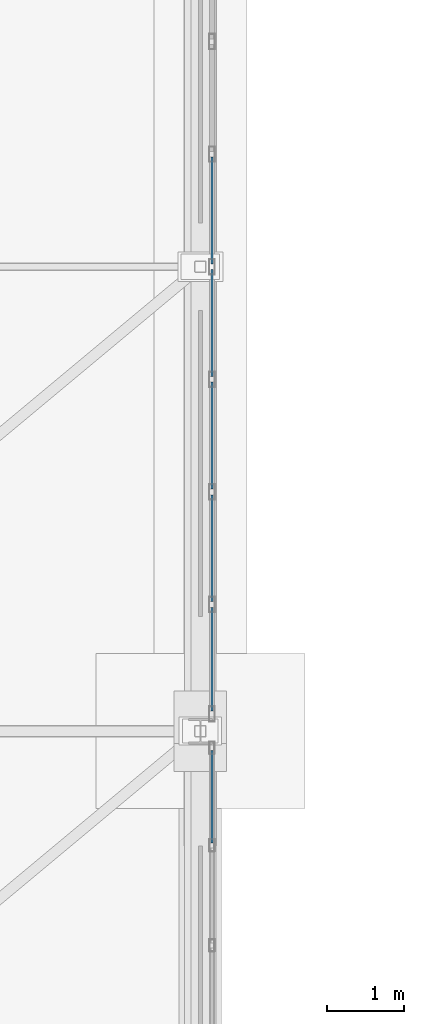
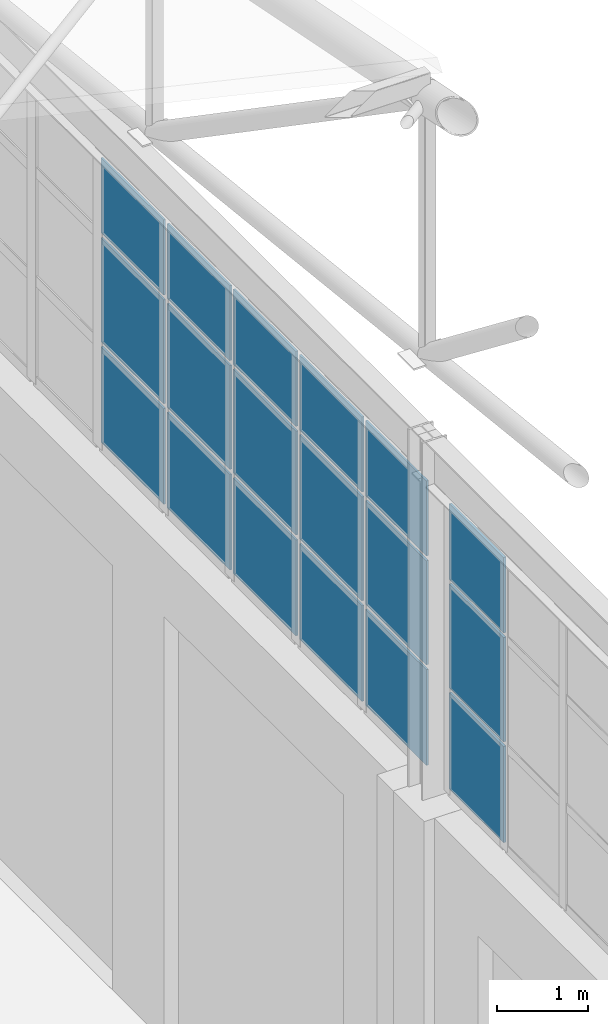
# One storey, part 248 of 293: 18 plates, 2 elements without a shape of their own.
"""IFC4 building model written with IfcOpenShell, lengths in metres."""

from ifc_helpers import new_model, si_unit, direction, frame, origin, origin_2d, place, context, subcontext, project, spatial, rectangle, extrude, material, layer, layer_set, type_object, element, aggregate, save


model = new_model("IFC4")

# Units and contexts
model_context = context("Model", 3, precision=1e-05, world=origin(), true_north=direction((0.0, 1.0)))
body_context = subcontext(model_context, "Body", "Model", "MODEL_VIEW")
ifc_project = project(units=[si_unit("LENGTHUNIT", "METRE"), si_unit("AREAUNIT", "SQUARE_METRE"), si_unit("VOLUMEUNIT", "CUBIC_METRE"), si_unit("PLANEANGLEUNIT", "RADIAN"), si_unit("MASSUNIT", "GRAM", prefix="KILO")], contexts=[model_context])

# Site, building, storey
site_placement = place(None, origin())
site = spatial("IfcSite", under=ifc_project, at=site_placement, CompositionType="ELEMENT")
building_placement = place(site_placement, origin())
building = spatial("IfcBuilding", under=site, at=building_placement, Name="Kemerveld Promenade Tramway Depot", CompositionType="ELEMENT")
storey_placement = place(building_placement, origin())
storey = spatial("IfcBuildingStorey", under=building, at=storey_placement, Name="L00", CompositionType="ELEMENT", Elevation=0.0)

# Curtain wall, plates
ifc_material_1 = material(Name="Bronze anodised aluminium and solar glass", Category="aluminium")
ifc_layer_1 = layer(ifc_material_1, 0.159912109375)
ifc_layer_set_1 = layer_set([ifc_layer_1], Name="CW-SYS-13")
curtain_wall_type_1 = type_object("IfcCurtainWallType", Name="CW-SYS-13", PredefinedType="USERDEFINED", material=ifc_layer_set_1)
curtain_wall_1_placement = place(storey_placement, origin())
curtain_wall_1 = element("IfcCurtainWall", 1, at=curtain_wall_1_placement, inside=storey, type_object=curtain_wall_type_1, Name="CW-V1-E-03", ObjectType="GLAZED_CURTAIN_WALL", PredefinedType="USERDEFINED")
ifc_material_2 = material(Name="Solar-control laminated double glazing", Category="glass")
ifc_layer_2 = layer(ifc_material_2, 0.031982421875)
ifc_layer_set_2 = layer_set([ifc_layer_2], Name="CW-PNL-05")
plate_type_1 = type_object("IfcPlateType", Name="CW-PNL-05", PredefinedType="CURTAIN_PANEL", material=ifc_layer_set_2)
plate_1_placement = place(storey_placement, frame((187.35009765625, 119.154052734375, 6.7099609375), z_axis=(0.0, 0.0, 1.0), x_axis=(0.0, -1.0, 0.0)))
plate_1 = element("IfcPlate", 2, at=plate_1_placement, type_object=plate_type_1, Name="CW13 panel 1.1", PredefinedType="CURTAIN_PANEL", context=body_context, shape_type="SweptSolid", body=[
    extrude(rectangle(XDim=1.195068359375, YDim=0.031982421875, at=origin_2d()), origin(), (0.0, 0.0, 1.0), 1.29296875),
])
plate_2_placement = place(storey_placement, frame((187.35009765625, 119.154052734375, 8.06298828125), z_axis=(0.0, 0.0, 1.0), x_axis=(0.0, -1.0, 0.0)))
plate_2 = element("IfcPlate", 3, at=plate_2_placement, type_object=plate_type_1, Name="CW13 panel 1.2", PredefinedType="CURTAIN_PANEL", context=body_context, shape_type="SweptSolid", body=[
    extrude(rectangle(XDim=1.195068359375, YDim=0.031982421875, at=origin_2d()), origin(), (0.0, 0.0, 1.0), 1.40087890625),
])
plate_3_placement = place(storey_placement, frame((187.35009765625, 119.154052734375, 9.52392578125), z_axis=(0.0, 0.0, 1.0), x_axis=(0.0, -1.0, 0.0)))
plate_3 = element("IfcPlate", 4, at=plate_3_placement, type_object=plate_type_1, Name="CW13 panel 1.3", PredefinedType="CURTAIN_PANEL", context=body_context, shape_type="SweptSolid", body=[
    extrude(rectangle(XDim=1.195068359375, YDim=0.031982421875, at=origin_2d()), origin(), (0.0, 0.0, 1.0), 1.01611328125),
])
aggregate(curtain_wall_1, [plate_1, plate_2, plate_3])

ifc_layer_3 = layer(ifc_material_1, 0.199951171875)
ifc_layer_set_3 = layer_set([ifc_layer_3], Name="CW-SYS-14")
curtain_wall_type_2 = type_object("IfcCurtainWallType", Name="CW-SYS-14", PredefinedType="USERDEFINED", material=ifc_layer_set_3)
curtain_wall_2_placement = place(storey_placement, origin())
curtain_wall_2 = element("IfcCurtainWall", 5, at=curtain_wall_2_placement, inside=storey, type_object=curtain_wall_type_2, Name="CW-V1-E-04", ObjectType="GLAZED_CURTAIN_WALL", PredefinedType="USERDEFINED")
ifc_layer_4 = layer(ifc_material_2, 0.02587890625)
ifc_layer_set_4 = layer_set([ifc_layer_4], Name="CW-PNL-06")
plate_type_2 = type_object("IfcPlateType", Name="CW-PNL-06", PredefinedType="CURTAIN_PANEL", material=ifc_layer_set_4)
plate_4_placement = place(storey_placement, frame((187.35009765625, 126.72705078125, 6.71484375), z_axis=(0.0, 0.0, 1.0), x_axis=(0.0, -1.0, 0.0)))
plate_4 = element("IfcPlate", 6, at=plate_4_placement, type_object=plate_type_2, Name="CW14 panel 4.1", PredefinedType="CURTAIN_PANEL", context=body_context, shape_type="SweptSolid", body=[
    extrude(rectangle(XDim=1.379150390625, YDim=0.02587890625, at=origin_2d()), origin(), (0.0, 0.0, 1.0), 1.285400390625),
])
plate_5_placement = place(storey_placement, frame((187.35009765625, 126.72705078125, 8.0654296875), z_axis=(0.0, 0.0, 1.0), x_axis=(0.0, -1.0, 0.0)))
plate_5 = element("IfcPlate", 7, at=plate_5_placement, type_object=plate_type_2, Name="CW14 panel 4.2", PredefinedType="CURTAIN_PANEL", context=body_context, shape_type="SweptSolid", body=[
    extrude(rectangle(XDim=1.379150390625, YDim=0.02587890625, at=origin_2d()), origin(), (0.0, 0.0, 1.0), 1.39599609375),
])
plate_6_placement = place(storey_placement, frame((187.35009765625, 126.72705078125, 9.5263671875), z_axis=(0.0, 0.0, 1.0), x_axis=(0.0, -1.0, 0.0)))
plate_6 = element("IfcPlate", 8, at=plate_6_placement, type_object=plate_type_2, Name="CW14 panel 4.3", PredefinedType="CURTAIN_PANEL", context=body_context, shape_type="SweptSolid", body=[
    extrude(rectangle(XDim=1.379150390625, YDim=0.02587890625, at=origin_2d()), origin(), (0.0, 0.0, 1.0), 1.008544921875),
])
plate_7_placement = place(storey_placement, frame((187.35009765625, 125.27294921875, 6.71484375), z_axis=(0.0, 0.0, 1.0), x_axis=(0.0, -1.0, 0.0)))
plate_7 = element("IfcPlate", 9, at=plate_7_placement, type_object=plate_type_2, Name="CW14 panel 5.1", PredefinedType="CURTAIN_PANEL", context=body_context, shape_type="SweptSolid", body=[
    extrude(rectangle(XDim=1.379150390625, YDim=0.02587890625, at=origin_2d()), origin(), (0.0, 0.0, 1.0), 1.285400390625),
])
plate_8_placement = place(storey_placement, frame((187.35009765625, 125.27294921875, 8.0654296875), z_axis=(0.0, 0.0, 1.0), x_axis=(0.0, -1.0, 0.0)))
plate_8 = element("IfcPlate", 10, at=plate_8_placement, type_object=plate_type_2, Name="CW14 panel 5.2", PredefinedType="CURTAIN_PANEL", context=body_context, shape_type="SweptSolid", body=[
    extrude(rectangle(XDim=1.379150390625, YDim=0.02587890625, at=origin_2d()), origin(), (0.0, 0.0, 1.0), 1.39599609375),
])
plate_9_placement = place(storey_placement, frame((187.35009765625, 125.27294921875, 9.5263671875), z_axis=(0.0, 0.0, 1.0), x_axis=(0.0, -1.0, 0.0)))
plate_9 = element("IfcPlate", 11, at=plate_9_placement, type_object=plate_type_2, Name="CW14 panel 5.3", PredefinedType="CURTAIN_PANEL", context=body_context, shape_type="SweptSolid", body=[
    extrude(rectangle(XDim=1.379150390625, YDim=0.02587890625, at=origin_2d()), origin(), (0.0, 0.0, 1.0), 1.008544921875),
])
plate_10_placement = place(storey_placement, frame((187.35009765625, 123.81884765625, 6.71484375), z_axis=(0.0, 0.0, 1.0), x_axis=(0.0, -1.0, 0.0)))
plate_10 = element("IfcPlate", 12, at=plate_10_placement, type_object=plate_type_2, Name="CW14 panel 6.1", PredefinedType="CURTAIN_PANEL", context=body_context, shape_type="SweptSolid", body=[
    extrude(rectangle(XDim=1.379150390625, YDim=0.02587890625, at=origin_2d()), origin(), (0.0, 0.0, 1.0), 1.285400390625),
])
plate_11_placement = place(storey_placement, frame((187.35009765625, 123.81884765625, 8.0654296875), z_axis=(0.0, 0.0, 1.0), x_axis=(0.0, -1.0, 0.0)))
plate_11 = element("IfcPlate", 13, at=plate_11_placement, type_object=plate_type_2, Name="CW14 panel 6.2", PredefinedType="CURTAIN_PANEL", context=body_context, shape_type="SweptSolid", body=[
    extrude(rectangle(XDim=1.379150390625, YDim=0.02587890625, at=origin_2d()), origin(), (0.0, 0.0, 1.0), 1.39599609375),
])
plate_12_placement = place(storey_placement, frame((187.35009765625, 123.81884765625, 9.5263671875), z_axis=(0.0, 0.0, 1.0), x_axis=(0.0, -1.0, 0.0)))
plate_12 = element("IfcPlate", 14, at=plate_12_placement, type_object=plate_type_2, Name="CW14 panel 6.3", PredefinedType="CURTAIN_PANEL", context=body_context, shape_type="SweptSolid", body=[
    extrude(rectangle(XDim=1.379150390625, YDim=0.02587890625, at=origin_2d()), origin(), (0.0, 0.0, 1.0), 1.008544921875),
])
plate_13_placement = place(storey_placement, frame((187.35009765625, 122.36474609375, 6.71484375), z_axis=(0.0, 0.0, 1.0), x_axis=(0.0, -1.0, 0.0)))
plate_13 = element("IfcPlate", 15, at=plate_13_placement, type_object=plate_type_2, Name="CW14 panel 7.1", PredefinedType="CURTAIN_PANEL", context=body_context, shape_type="SweptSolid", body=[
    extrude(rectangle(XDim=1.379150390625, YDim=0.02587890625, at=origin_2d()), origin(), (0.0, 0.0, 1.0), 1.285400390625),
])
plate_14_placement = place(storey_placement, frame((187.35009765625, 122.36474609375, 8.0654296875), z_axis=(0.0, 0.0, 1.0), x_axis=(0.0, -1.0, 0.0)))
plate_14 = element("IfcPlate", 16, at=plate_14_placement, type_object=plate_type_2, Name="CW14 panel 7.2", PredefinedType="CURTAIN_PANEL", context=body_context, shape_type="SweptSolid", body=[
    extrude(rectangle(XDim=1.379150390625, YDim=0.02587890625, at=origin_2d()), origin(), (0.0, 0.0, 1.0), 1.39599609375),
])
plate_15_placement = place(storey_placement, frame((187.35009765625, 122.36474609375, 9.5263671875), z_axis=(0.0, 0.0, 1.0), x_axis=(0.0, -1.0, 0.0)))
plate_15 = element("IfcPlate", 17, at=plate_15_placement, type_object=plate_type_2, Name="CW14 panel 7.3", PredefinedType="CURTAIN_PANEL", context=body_context, shape_type="SweptSolid", body=[
    extrude(rectangle(XDim=1.379150390625, YDim=0.02587890625, at=origin_2d()), origin(), (0.0, 0.0, 1.0), 1.008544921875),
])
plate_16_placement = place(storey_placement, frame((187.35009765625, 120.92919921875, 6.71484375), z_axis=(0.0, 0.0, 1.0), x_axis=(0.0, -1.0, 0.0)))
plate_16 = element("IfcPlate", 18, at=plate_16_placement, type_object=plate_type_2, Name="CW14 panel 8.1", PredefinedType="CURTAIN_PANEL", context=body_context, shape_type="SweptSolid", body=[
    extrude(rectangle(XDim=1.341552734375, YDim=0.02587890625, at=origin_2d()), origin(), (0.0, 0.0, 1.0), 1.285400390625),
])
plate_17_placement = place(storey_placement, frame((187.35009765625, 120.92919921875, 8.0654296875), z_axis=(0.0, 0.0, 1.0), x_axis=(0.0, -1.0, 0.0)))
plate_17 = element("IfcPlate", 19, at=plate_17_placement, type_object=plate_type_2, Name="CW14 panel 8.2", PredefinedType="CURTAIN_PANEL", context=body_context, shape_type="SweptSolid", body=[
    extrude(rectangle(XDim=1.341552734375, YDim=0.02587890625, at=origin_2d()), origin(), (0.0, 0.0, 1.0), 1.39599609375),
])
plate_18_placement = place(storey_placement, frame((187.35009765625, 120.92919921875, 9.5263671875), z_axis=(0.0, 0.0, 1.0), x_axis=(0.0, -1.0, 0.0)))
plate_18 = element("IfcPlate", 20, at=plate_18_placement, type_object=plate_type_2, Name="CW14 panel 8.3", PredefinedType="CURTAIN_PANEL", context=body_context, shape_type="SweptSolid", body=[
    extrude(rectangle(XDim=1.341552734375, YDim=0.02587890625, at=origin_2d()), origin(), (0.0, 0.0, 1.0), 1.008544921875),
])
aggregate(curtain_wall_2, [plate_4, plate_5, plate_6, plate_7, plate_8, plate_9, plate_10, plate_11, plate_12, plate_13, plate_14, plate_15, plate_16, plate_17, plate_18])

save(model, "model.ifc")
